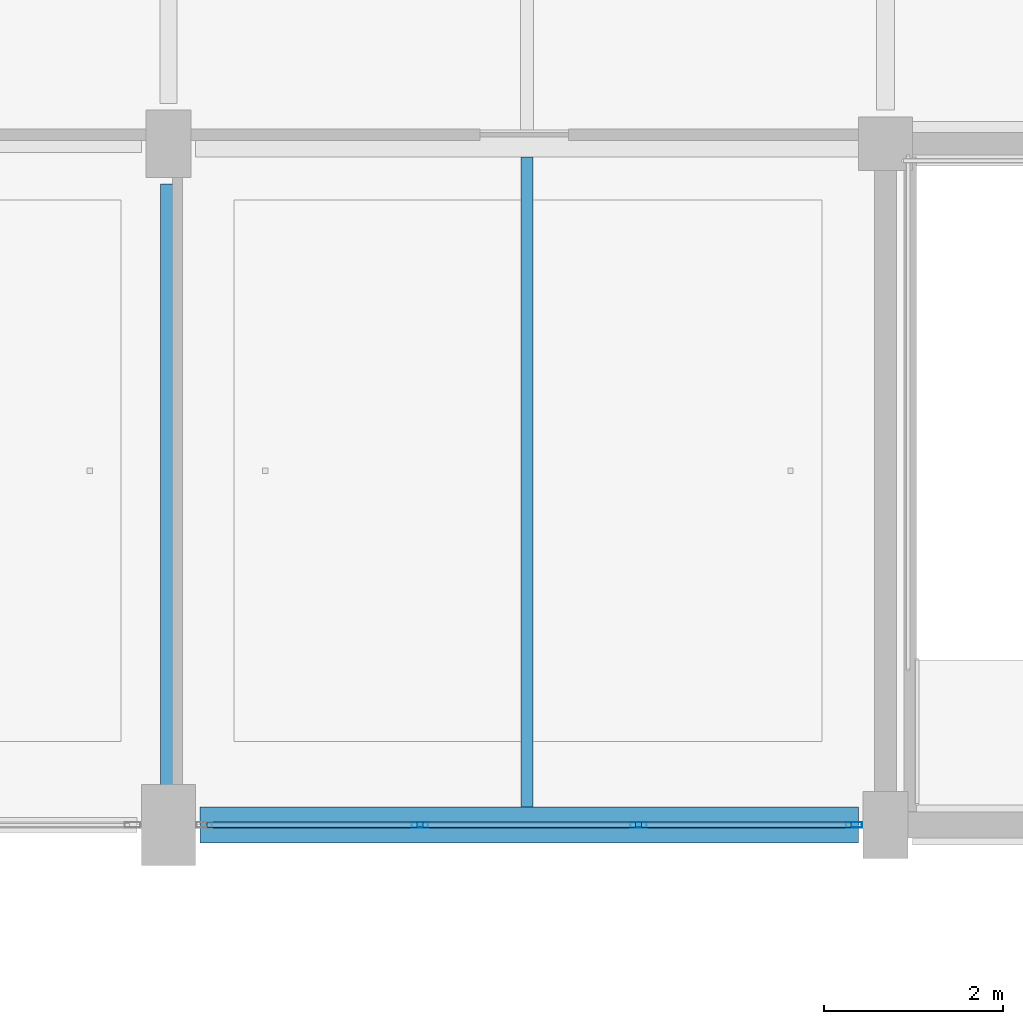
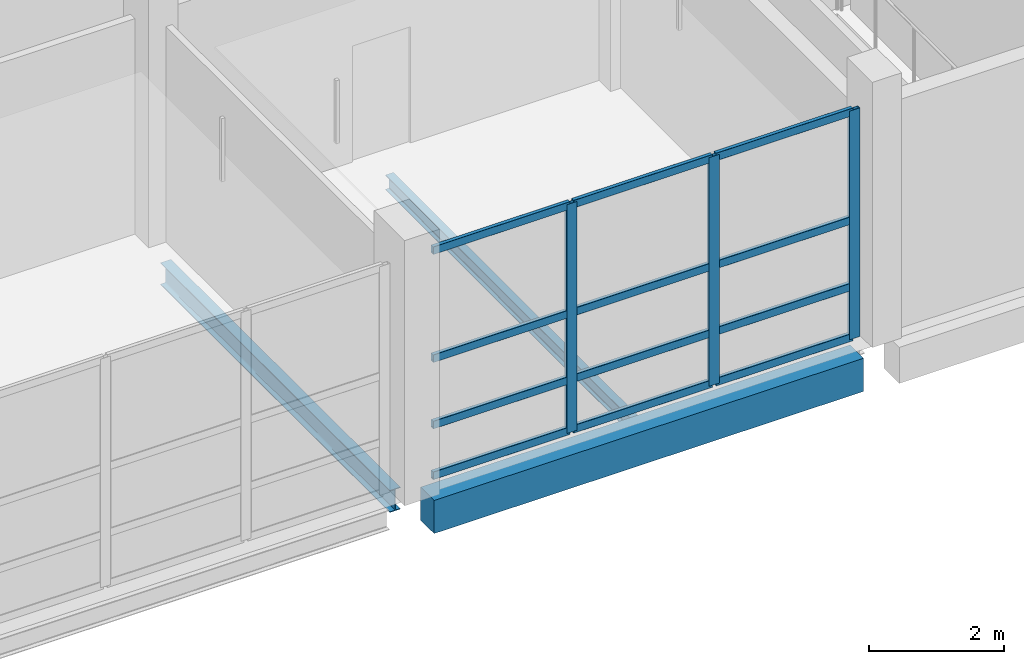
# One storey, part 20 of 107: 15 members, 3 beams, 1 element without a shape of its own.
"""IFC4 building model written with IfcOpenShell, lengths in metres."""

from ifc_helpers import new_model, si_unit, direction, frame, origin, origin_2d, place, context, subcontext, project, spatial, rectangle, hollow_rectangle, i_section, extrude, material, material_profile, profile_set, type_object, element, aggregate, save


model = new_model("IFC4")

# Units and contexts
model_context = context("Model", 3, precision=1e-05, world=origin(), true_north=direction((0.0, 1.0)))
body_context = subcontext(model_context, "Body", "Model", "MODEL_VIEW")
ifc_project = project(units=[si_unit("LENGTHUNIT", "METRE"), si_unit("AREAUNIT", "SQUARE_METRE"), si_unit("VOLUMEUNIT", "CUBIC_METRE"), si_unit("PLANEANGLEUNIT", "RADIAN"), si_unit("MASSUNIT", "GRAM", prefix="KILO")], contexts=[model_context])

# Site, building, storey
site_placement = place(None, origin())
site = spatial("IfcSite", under=ifc_project, at=site_placement, CompositionType="ELEMENT")
building_placement = place(site_placement, origin())
building = spatial("IfcBuilding", under=site, at=building_placement, Name="Khelvaren Railside Concert Hall", CompositionType="ELEMENT")
storey_placement = place(building_placement, frame((0.0, 0.0, 15.0)))
storey = spatial("IfcBuildingStorey", under=building, at=storey_placement, Name="L03", CompositionType="ELEMENT", Elevation=15.0)

# Beam
ifc_material_1 = material(Name="Steel S355", Category="steel")
ifc_material_profile_1 = material_profile(ifc_material_1, i_section(OverallWidth=0.179931640625, OverallDepth=0.39990234375, WebThickness=0.008544921875, FlangeThickness=0.013427734375, FilletRadius=0.02099609375, at=origin_2d()), Name="IPE 400")
ifc_profile_set_1 = profile_set([ifc_material_profile_1], Name="Steel S355")
beam_type_1 = type_object("IfcBeamType", Name="BM29", PredefinedType="BEAM", material=ifc_profile_set_1)
beam_1_placement = place(storey_placement, frame((112.0, 0.35009765625, -0.47998046875), z_axis=(0.0, 1.0, 0.0), x_axis=(-1.0, 0.0, 0.0)))
element("IfcBeam", 1, at=beam_1_placement, inside=storey, type_object=beam_type_1, Name="V3 L03 Beam Y7.1", PredefinedType="BEAM", context=body_context, shape_type="SweptSolid", body=[
    extrude(i_section(OverallWidth=0.179931640625, OverallDepth=0.39990234375, WebThickness=0.008544921875, FlangeThickness=0.013427734375, FilletRadius=0.02099609375, at=origin_2d()), origin(), (0.0, 0.0, 1.0), 6.7998046875),
])

# Curtain wall, members
ifc_material_2 = material(Name="Double-glazed low-E dark acoustic glass", Category="glass")
curtain_wall_type = type_object("IfcCurtainWallType", Name="CW65", PredefinedType="USERDEFINED", material=ifc_material_2)
curtain_wall_placement = place(storey_placement, origin())
curtain_wall = element("IfcCurtainWall", 2, at=curtain_wall_placement, inside=storey, type_object=curtain_wall_type, Name="Unitised Curtain Wall CW-V3-L03-S-112", ObjectType="UNITISED CURTAIN WALL", PredefinedType="USERDEFINED")
ifc_material_3 = material(Name="Anodised architectural aluminium 6063-T6", Category="aluminium")
ifc_material_profile_2 = material_profile(ifc_material_3, hollow_rectangle(XDim=0.06494140625, YDim=0.179931640625, WallThickness=0.00390625, InnerFilletRadius=0.001953125, OuterFilletRadius=0.00390625, at=origin_2d()), Name="CWM 65x180x4")
ifc_profile_set_2 = profile_set([ifc_material_profile_2], Name="Anodised architectural aluminium 6063-T6")
member_type_1 = type_object("IfcMemberType", Name="CWM63", PredefinedType="MULLION", material=ifc_profile_set_2)
member_1_placement = place(storey_placement, frame((119.64990234375, 0.0, 0.0), z_axis=(0.0, 0.0, 1.0), x_axis=(0.0, -1.0, 0.0)))
member_1 = element("IfcMember", 3, at=member_1_placement, type_object=member_type_1, Name="CW65 mullion 1", PredefinedType="MULLION", context=body_context, shape_type="SweptSolid", body=[
    extrude(hollow_rectangle(XDim=0.06494140625, YDim=0.179931640625, WallThickness=0.00390625, InnerFilletRadius=0.001953125, OuterFilletRadius=0.00390625, at=origin_2d()), origin(), (0.0, 0.0, 1.0), 4.139892578125),
])
member_2_placement = place(storey_placement, frame((117.244140625, 0.0, 0.0), z_axis=(0.0, 0.0, 1.0), x_axis=(0.0, -1.0, 0.0)))
member_2 = element("IfcMember", 4, at=member_2_placement, type_object=member_type_1, Name="CW65 mullion 2", PredefinedType="MULLION", context=body_context, shape_type="SweptSolid", body=[
    extrude(hollow_rectangle(XDim=0.06494140625, YDim=0.179931640625, WallThickness=0.00390625, InnerFilletRadius=0.001953125, OuterFilletRadius=0.00390625, at=origin_2d()), origin(), (0.0, 0.0, 1.0), 4.139892578125),
])
member_3_placement = place(storey_placement, frame((114.805908203125, 0.0, 0.0), z_axis=(0.0, 0.0, 1.0), x_axis=(0.0, -1.0, 0.0)))
member_3 = element("IfcMember", 5, at=member_3_placement, type_object=member_type_1, Name="CW65 mullion 3", PredefinedType="MULLION", context=body_context, shape_type="SweptSolid", body=[
    extrude(hollow_rectangle(XDim=0.06494140625, YDim=0.179931640625, WallThickness=0.00390625, InnerFilletRadius=0.001953125, OuterFilletRadius=0.00390625, at=origin_2d()), origin(), (0.0, 0.0, 1.0), 4.139892578125),
])
ifc_material_profile_3 = material_profile(ifc_material_3, hollow_rectangle(XDim=0.06494140625, YDim=0.139892578125, WallThickness=0.00390625, InnerFilletRadius=0.001953125, OuterFilletRadius=0.00390625, at=origin_2d()), Name="CWT 65x140x4")
ifc_profile_set_3 = profile_set([ifc_material_profile_3], Name="Anodised architectural aluminium 6063-T6")
member_type_2 = type_object("IfcMemberType", Name="CWT72", PredefinedType="USERDEFINED", material=ifc_profile_set_3)
member_4_placement = place(storey_placement, frame((119.617431640625, 0.0, 0.032470703125), z_axis=(-1.0, 0.0, 0.0), x_axis=(0.0, -1.0, 0.0)))
member_4 = element("IfcMember", 6, at=member_4_placement, type_object=member_type_2, Name="CW65 transom 1.1", ObjectType="TRANSOM", PredefinedType="USERDEFINED", context=body_context, shape_type="SweptSolid", body=[
    extrude(hollow_rectangle(XDim=0.06494140625, YDim=0.139892578125, WallThickness=0.00390625, InnerFilletRadius=0.001953125, OuterFilletRadius=0.00390625, at=origin_2d()), origin(), (0.0, 0.0, 1.0), 2.3408203125),
])
member_5_placement = place(storey_placement, frame((119.617431640625, 0.0, 0.949951171875), z_axis=(-1.0, 0.0, 0.0), x_axis=(0.0, -1.0, 0.0)))
member_5 = element("IfcMember", 7, at=member_5_placement, type_object=member_type_2, Name="CW65 transom 1.2", ObjectType="TRANSOM", PredefinedType="USERDEFINED", context=body_context, shape_type="SweptSolid", body=[
    extrude(hollow_rectangle(XDim=0.06494140625, YDim=0.139892578125, WallThickness=0.00390625, InnerFilletRadius=0.001953125, OuterFilletRadius=0.00390625, at=origin_2d()), origin(), (0.0, 0.0, 1.0), 2.3408203125),
])
member_6_placement = place(storey_placement, frame((119.617431640625, 0.0, 2.15283203125), z_axis=(-1.0, 0.0, 0.0), x_axis=(0.0, -1.0, 0.0)))
member_6 = element("IfcMember", 8, at=member_6_placement, type_object=member_type_2, Name="CW65 transom 1.3", ObjectType="TRANSOM", PredefinedType="USERDEFINED", context=body_context, shape_type="SweptSolid", body=[
    extrude(hollow_rectangle(XDim=0.06494140625, YDim=0.139892578125, WallThickness=0.00390625, InnerFilletRadius=0.001953125, OuterFilletRadius=0.00390625, at=origin_2d()), origin(), (0.0, 0.0, 1.0), 2.3408203125),
])
member_7_placement = place(storey_placement, frame((119.617431640625, 0.0, 4.107421875), z_axis=(-1.0, 0.0, 0.0), x_axis=(0.0, -1.0, 0.0)))
member_7 = element("IfcMember", 9, at=member_7_placement, type_object=member_type_2, Name="CW65 transom 1.4", ObjectType="TRANSOM", PredefinedType="USERDEFINED", context=body_context, shape_type="SweptSolid", body=[
    extrude(hollow_rectangle(XDim=0.06494140625, YDim=0.139892578125, WallThickness=0.00390625, InnerFilletRadius=0.001953125, OuterFilletRadius=0.00390625, at=origin_2d()), origin(), (0.0, 0.0, 1.0), 2.3408203125),
])
member_8_placement = place(storey_placement, frame((117.211669921875, 0.0, 0.032470703125), z_axis=(-1.0, 0.0, 0.0), x_axis=(0.0, -1.0, 0.0)))
member_8 = element("IfcMember", 10, at=member_8_placement, type_object=member_type_2, Name="CW65 transom 2.1", ObjectType="TRANSOM", PredefinedType="USERDEFINED", context=body_context, shape_type="SweptSolid", body=[
    extrude(hollow_rectangle(XDim=0.06494140625, YDim=0.139892578125, WallThickness=0.00390625, InnerFilletRadius=0.001953125, OuterFilletRadius=0.00390625, at=origin_2d()), origin(), (0.0, 0.0, 1.0), 2.373291015625),
])
member_9_placement = place(storey_placement, frame((117.211669921875, 0.0, 0.949951171875), z_axis=(-1.0, 0.0, 0.0), x_axis=(0.0, -1.0, 0.0)))
member_9 = element("IfcMember", 11, at=member_9_placement, type_object=member_type_2, Name="CW65 transom 2.2", ObjectType="TRANSOM", PredefinedType="USERDEFINED", context=body_context, shape_type="SweptSolid", body=[
    extrude(hollow_rectangle(XDim=0.06494140625, YDim=0.139892578125, WallThickness=0.00390625, InnerFilletRadius=0.001953125, OuterFilletRadius=0.00390625, at=origin_2d()), origin(), (0.0, 0.0, 1.0), 2.373291015625),
])
member_10_placement = place(storey_placement, frame((117.211669921875, 0.0, 2.15283203125), z_axis=(-1.0, 0.0, 0.0), x_axis=(0.0, -1.0, 0.0)))
member_10 = element("IfcMember", 12, at=member_10_placement, type_object=member_type_2, Name="CW65 transom 2.3", ObjectType="TRANSOM", PredefinedType="USERDEFINED", context=body_context, shape_type="SweptSolid", body=[
    extrude(hollow_rectangle(XDim=0.06494140625, YDim=0.139892578125, WallThickness=0.00390625, InnerFilletRadius=0.001953125, OuterFilletRadius=0.00390625, at=origin_2d()), origin(), (0.0, 0.0, 1.0), 2.373291015625),
])
member_11_placement = place(storey_placement, frame((117.211669921875, 0.0, 4.107421875), z_axis=(-1.0, 0.0, 0.0), x_axis=(0.0, -1.0, 0.0)))
member_11 = element("IfcMember", 13, at=member_11_placement, type_object=member_type_2, Name="CW65 transom 2.4", ObjectType="TRANSOM", PredefinedType="USERDEFINED", context=body_context, shape_type="SweptSolid", body=[
    extrude(hollow_rectangle(XDim=0.06494140625, YDim=0.139892578125, WallThickness=0.00390625, InnerFilletRadius=0.001953125, OuterFilletRadius=0.00390625, at=origin_2d()), origin(), (0.0, 0.0, 1.0), 2.373291015625),
])
member_12_placement = place(storey_placement, frame((114.7734375, 0.0, 0.032470703125), z_axis=(-1.0, 0.0, 0.0), x_axis=(0.0, -1.0, 0.0)))
member_12 = element("IfcMember", 14, at=member_12_placement, type_object=member_type_2, Name="CW65 transom 3.1", ObjectType="TRANSOM", PredefinedType="USERDEFINED", context=body_context, shape_type="SweptSolid", body=[
    extrude(hollow_rectangle(XDim=0.06494140625, YDim=0.139892578125, WallThickness=0.00390625, InnerFilletRadius=0.001953125, OuterFilletRadius=0.00390625, at=origin_2d()), origin(), (0.0, 0.0, 1.0), 2.3408203125),
])
member_13_placement = place(storey_placement, frame((114.7734375, 0.0, 0.949951171875), z_axis=(-1.0, 0.0, 0.0), x_axis=(0.0, -1.0, 0.0)))
member_13 = element("IfcMember", 15, at=member_13_placement, type_object=member_type_2, Name="CW65 transom 3.2", ObjectType="TRANSOM", PredefinedType="USERDEFINED", context=body_context, shape_type="SweptSolid", body=[
    extrude(hollow_rectangle(XDim=0.06494140625, YDim=0.139892578125, WallThickness=0.00390625, InnerFilletRadius=0.001953125, OuterFilletRadius=0.00390625, at=origin_2d()), origin(), (0.0, 0.0, 1.0), 2.3408203125),
])
member_14_placement = place(storey_placement, frame((114.7734375, 0.0, 2.15283203125), z_axis=(-1.0, 0.0, 0.0), x_axis=(0.0, -1.0, 0.0)))
member_14 = element("IfcMember", 16, at=member_14_placement, type_object=member_type_2, Name="CW65 transom 3.3", ObjectType="TRANSOM", PredefinedType="USERDEFINED", context=body_context, shape_type="SweptSolid", body=[
    extrude(hollow_rectangle(XDim=0.06494140625, YDim=0.139892578125, WallThickness=0.00390625, InnerFilletRadius=0.001953125, OuterFilletRadius=0.00390625, at=origin_2d()), origin(), (0.0, 0.0, 1.0), 2.3408203125),
])
member_15_placement = place(storey_placement, frame((114.7734375, 0.0, 4.107421875), z_axis=(-1.0, 0.0, 0.0), x_axis=(0.0, -1.0, 0.0)))
member_15 = element("IfcMember", 17, at=member_15_placement, type_object=member_type_2, Name="CW65 transom 3.4", ObjectType="TRANSOM", PredefinedType="USERDEFINED", context=body_context, shape_type="SweptSolid", body=[
    extrude(hollow_rectangle(XDim=0.06494140625, YDim=0.139892578125, WallThickness=0.00390625, InnerFilletRadius=0.001953125, OuterFilletRadius=0.00390625, at=origin_2d()), origin(), (0.0, 0.0, 1.0), 2.3408203125),
])
aggregate(curtain_wall, [member_1, member_2, member_3, member_4, member_5, member_6, member_7, member_8, member_9, member_10, member_11, member_12, member_13, member_14, member_15])

# Beams
ifc_material_profile_4 = material_profile(ifc_material_1, i_section(OverallWidth=0.135009765625, OverallDepth=0.27001953125, WebThickness=0.006591796875, FlangeThickness=0.01025390625, FilletRadius=0.014892578125, at=origin_2d()), Name="IPE 270")
ifc_profile_set_4 = profile_set([ifc_material_profile_4], Name="Steel S355")
beam_type_2 = type_object("IfcBeamType", Name="JS78", PredefinedType="JOIST", material=ifc_profile_set_4)
beam_2_placement = place(storey_placement, frame((116.0, 0.199951171875, -0.4150390625), z_axis=(0.0, 1.0, 0.0), x_axis=(-1.0, 0.0, 0.0)))
element("IfcBeam", 18, at=beam_2_placement, inside=storey, type_object=beam_type_2, Name="V3 L03 Secondary Joist 7.1", PredefinedType="JOIST", context=body_context, shape_type="SweptSolid", body=[
    extrude(i_section(OverallWidth=0.135009765625, OverallDepth=0.27001953125, WebThickness=0.006591796875, FlangeThickness=0.01025390625, FilletRadius=0.014892578125, at=origin_2d()), origin(), (0.0, 0.0, 1.0), 7.25),
])
ifc_material_4 = material(Name="Concrete C40/50", Category="concrete")
ifc_material_profile_5 = material_profile(ifc_material_4, rectangle(XDim=0.39990234375, YDim=0.60009765625, at=origin_2d()), Name="RCB 400x600")
ifc_profile_set_5 = profile_set([ifc_material_profile_5], Name="Concrete C40/50")
beam_type_3 = type_object("IfcBeamType", Name="SP75", PredefinedType="SPANDREL", material=ifc_profile_set_5)
beam_3_placement = place(storey_placement, frame((112.35009765625, 0.0, -0.580078125), z_axis=(1.0, 0.0, 0.0), x_axis=(0.0, 1.0, 0.0)))
element("IfcBeam", 19, at=beam_3_placement, inside=storey, type_object=beam_type_3, Name="V3 L03 Spandrel X1.7", PredefinedType="SPANDREL", context=body_context, shape_type="SweptSolid", body=[
    extrude(rectangle(XDim=0.39990234375, YDim=0.60009765625, at=origin_2d()), origin(), (0.0, 0.0, 1.0), 7.349853515625),
])

save(model, "model.ifc")
